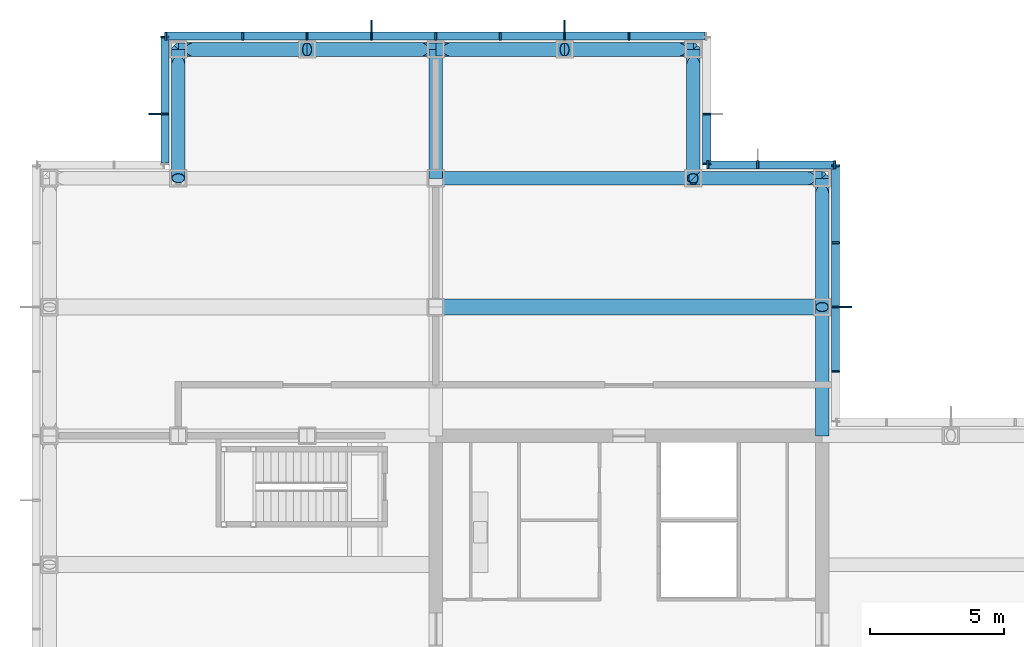
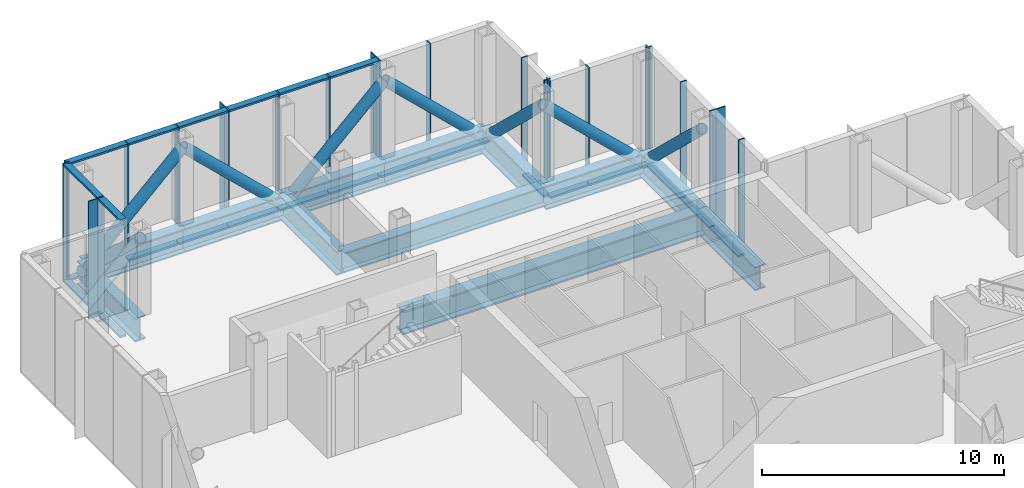
# One storey, part 10 of 17: 55 members, 12 beams, 5 elements without a shape of their own.
"""IFC4 building model written with IfcOpenShell, lengths in metres."""

from ifc_helpers import new_model, si_unit, direction, frame, origin, origin_2d, place, context, subcontext, project, spatial, rectangle, hollow_circle, i_section, extrude, material, material_profile, profile_set, type_object, element, aggregate, save


model = new_model("IFC4")

# Units and contexts
model_context = context("Model", 3, precision=1e-05, world=origin(), true_north=direction((0.0, 1.0)))
body_context = subcontext(model_context, "Body", "Model", "MODEL_VIEW")
ifc_project = project(units=[si_unit("LENGTHUNIT", "METRE"), si_unit("AREAUNIT", "SQUARE_METRE"), si_unit("VOLUMEUNIT", "CUBIC_METRE"), si_unit("PLANEANGLEUNIT", "RADIAN"), si_unit("MASSUNIT", "GRAM", prefix="KILO")], contexts=[model_context])

# Site, building, storey
site_placement = place(None, origin())
site = spatial("IfcSite", under=ifc_project, at=site_placement, CompositionType="ELEMENT")
building_placement = place(site_placement, origin())
building = spatial("IfcBuilding", under=site, at=building_placement, Name="Kvirike Care Tower", CompositionType="ELEMENT")
storey_placement = place(building_placement, frame((0.0, 0.0, 136.5)))
storey = spatial("IfcBuildingStorey", under=building, at=storey_placement, Name="L37", CompositionType="ELEMENT", Elevation=136.5)

# Members
ifc_material_1 = material(Name="Steel S355", Category="steel")
ifc_material_profile_1 = material_profile(ifc_material_1, hollow_circle(Radius=0.25390625, WallThickness=0.02490234375, at=origin_2d()), Name="CHS 508x25")
ifc_profile_set_1 = profile_set([ifc_material_profile_1], Name="Steel S355")
member_type_1 = type_object("IfcMemberType", Name="BELT TRUSS DIAGONAL CHS 508x25", PredefinedType="BRACE", material=ifc_profile_set_1)
for number, where, z_axis, x_axis, name in (
    (1, (28.800048828125, 52.800048828125, -0.85009765625), (0.0, -0.723490032929, 0.690334826191), (1.0, 0.0, 0.0), "Belt truss diagonal L9-M9 L37"),
    (2, (28.800048828125, 52.800048828125, -0.85009765625), (-0.723490032929, 0.0, 0.690334826191), (0.0, -1.0, 0.0), "Belt truss diagonal M9-M8 L37"),
    (3, (24.0, 57.60009765625, -0.85009765625), (0.0, -0.723490032929, 0.690334826191), (1.0, 0.0, 0.0), "Belt truss diagonal M8-N8 L37"),
    (4, (24.0, 57.60009765625, -0.85009765625), (-0.723490032929, 0.0, 0.690334826191), (0.0, -1.0, 0.0), "Belt truss diagonal N8-N7 L37"),
    (5, (14.39990234375, 57.60009765625, -0.85009765625), (0.723490032929, 0.0, 0.690334826191), (0.0, 1.0, 0.0), "Belt truss diagonal N7-N6 L37"),
):
    element("IfcMember", number, at=place(storey_placement, frame(where, z_axis=z_axis, x_axis=x_axis)), inside=storey, type_object=member_type_1, Name=name, PredefinedType="BRACE", context=body_context, shape_type="SweptSolid", body=[
        extrude(hollow_circle(Radius=0.25390625, WallThickness=0.02490234375, at=origin_2d()), origin(), (0.0, 0.0, 1.0), 6.634521484375),
    ])
member_1_placement = place(storey_placement, frame((14.39990234375, 57.60009765625, -0.85009765625), z_axis=(-0.723472495583, 0.0, 0.690353205348), x_axis=(0.0, -1.0, 0.0)))
element("IfcMember", 6, at=member_1_placement, inside=storey, type_object=member_type_1, Name="Belt truss diagonal N6-N5 L37", PredefinedType="BRACE", context=body_context, shape_type="SweptSolid", body=[
    extrude(hollow_circle(Radius=0.25390625, WallThickness=0.02490234375, at=origin_2d()), origin(), (0.0, 0.0, 1.0), 6.63427734375),
])
for number, where, z_axis, x_axis, name in (
    (7, (4.800048828125, 57.60009765625, -0.85009765625), (0.723490032929, 0.0, 0.690334826191), (0.0, 1.0, 0.0), "Belt truss diagonal N5-N4 L37"),
    (8, (4.800048828125, 57.60009765625, -0.85009765625), (0.0, -0.723490032929, 0.690334826191), (1.0, 0.0, 0.0), "Belt truss diagonal N4-M4 L37"),
):
    element("IfcMember", number, at=place(storey_placement, frame(where, z_axis=z_axis, x_axis=x_axis)), inside=storey, type_object=member_type_1, Name=name, PredefinedType="BRACE", context=body_context, shape_type="SweptSolid", body=[
        extrude(hollow_circle(Radius=0.25390625, WallThickness=0.02490234375, at=origin_2d()), origin(), (0.0, 0.0, 1.0), 6.634521484375),
    ])

# Curtain wall, member
ifc_material_2 = material(Name="Anodised aluminium stick system", Category="aluminium")
curtain_wall_type = type_object("IfcCurtainWallType", Name="CW-L LOUVRED PLANT SCREEN", PredefinedType="NOTDEFINED", material=ifc_material_2)
curtain_wall_1_placement = place(storey_placement, origin())
curtain_wall_1 = element("IfcCurtainWall", 9, at=curtain_wall_1_placement, inside=storey, type_object=curtain_wall_type, Name="Curtain wall L37 face 5", PredefinedType="NOTDEFINED")
ifc_material_3 = material(Name="Bronze anodised aluminium fin", Category="aluminium")
ifc_material_profile_2 = material_profile(ifc_material_3, rectangle(XDim=0.050048828125, YDim=0.449951171875, at=origin_2d()), Name="BRONZE FIN 450")
ifc_profile_set_2 = profile_set([ifc_material_profile_2], Name="Bronze anodised aluminium fin")
member_type_2 = type_object("IfcMemberType", Name="BRONZE FIN 450", PredefinedType="USERDEFINED", material=ifc_profile_set_2)
member_2_placement = place(storey_placement, frame((29.675048828125, 48.0, -1.449951171875), z_axis=(0.0, 0.0, 1.0), x_axis=(0.0, 1.0, 0.0)))
member_2 = element("IfcMember", 10, at=member_2_placement, type_object=member_type_2, Name="Bronze fin L37 face 5.3", ObjectType="FIN", PredefinedType="USERDEFINED", context=body_context, shape_type="SweptSolid", body=[
    extrude(rectangle(XDim=0.050048828125, YDim=0.449951171875, at=origin_2d()), origin(), (0.0, 0.0, 1.0), 5.949951171875),
])

# Curtain wall, members
curtain_wall_2_placement = place(storey_placement, origin())
curtain_wall_2 = element("IfcCurtainWall", 11, at=curtain_wall_2_placement, inside=storey, type_object=curtain_wall_type, Name="Curtain wall L37 face 8", PredefinedType="NOTDEFINED")
member_3_placement = place(storey_placement, frame((19.199951171875, 58.47509765625, -1.449951171875), z_axis=(0.0, 0.0, 1.0), x_axis=(-1.0, 0.0, 0.0)))
member_3 = element("IfcMember", 12, at=member_3_placement, type_object=member_type_2, Name="Bronze fin L37 face 8.3", ObjectType="FIN", PredefinedType="USERDEFINED", context=body_context, shape_type="SweptSolid", body=[
    extrude(rectangle(XDim=0.050048828125, YDim=0.449951171875, at=origin_2d()), origin(), (0.0, 0.0, 1.0), 5.949951171875),
])
member_4_placement = place(storey_placement, frame((12.0, 58.47509765625, -1.449951171875), z_axis=(0.0, 0.0, 1.0), x_axis=(-1.0, 0.0, 0.0)))
member_4 = element("IfcMember", 13, at=member_4_placement, type_object=member_type_2, Name="Bronze fin L37 face 8.6", ObjectType="FIN", PredefinedType="USERDEFINED", context=body_context, shape_type="SweptSolid", body=[
    extrude(rectangle(XDim=0.050048828125, YDim=0.449951171875, at=origin_2d()), origin(), (0.0, 0.0, 1.0), 5.949951171875),
])

# Curtain wall, member
curtain_wall_3_placement = place(storey_placement, origin())
curtain_wall_3 = element("IfcCurtainWall", 14, at=curtain_wall_3_placement, inside=storey, type_object=curtain_wall_type, Name="Curtain wall L37 face 9", PredefinedType="NOTDEFINED")
member_5_placement = place(storey_placement, frame((3.925048828125, 55.199951171875, -1.449951171875), z_axis=(0.0, 0.0, 1.0), x_axis=(0.0, -1.0, 0.0)))
member_5 = element("IfcMember", 15, at=member_5_placement, type_object=member_type_2, Name="Bronze fin L37 face 9.2", ObjectType="FIN", PredefinedType="USERDEFINED", context=body_context, shape_type="SweptSolid", body=[
    extrude(rectangle(XDim=0.050048828125, YDim=0.449951171875, at=origin_2d()), origin(), (0.0, 0.0, 1.0), 5.949951171875),
])

# Member
ifc_material_4 = material(Name="Bronze anodised aluminium mullion", Category="aluminium")
ifc_material_profile_3 = material_profile(ifc_material_4, rectangle(XDim=0.06494140625, YDim=0.300048828125, at=origin_2d()), Name="CW-L MULLION 65x300")
ifc_profile_set_3 = profile_set([ifc_material_profile_3], Name="Bronze anodised aluminium mullion")
member_type_3 = type_object("IfcMemberType", Name="CW-L MULLION 65x300", PredefinedType="MULLION", material=ifc_profile_set_3)
member_6_placement = place(storey_placement, frame((29.300048828125, 45.60009765625, -1.449951171875), z_axis=(0.0, 0.0, 1.0), x_axis=(0.0, 1.0, 0.0)))
member_6 = element("IfcMember", 16, at=member_6_placement, type_object=member_type_3, Name="CW-L mullion L37 face 5.2", PredefinedType="MULLION", context=body_context, shape_type="SweptSolid", body=[
    extrude(rectangle(XDim=0.06494140625, YDim=0.300048828125, at=origin_2d()), origin(), (0.0, 0.0, 1.0), 5.949951171875),
])

member_7_placement = place(storey_placement, frame((29.300048828125, 48.0, -1.449951171875), z_axis=(0.0, 0.0, 1.0), x_axis=(0.0, 1.0, 0.0)))
member_7 = element("IfcMember", 17, at=member_7_placement, type_object=member_type_3, Name="CW-L mullion L37 face 5.3", PredefinedType="MULLION", context=body_context, shape_type="SweptSolid", body=[
    extrude(rectangle(XDim=0.06494140625, YDim=0.300048828125, at=origin_2d()), origin(), (0.0, 0.0, 1.0), 5.949951171875),
])

member_8_placement = place(storey_placement, frame((29.300048828125, 50.39990234375, -1.449951171875), z_axis=(0.0, 0.0, 1.0), x_axis=(0.0, 1.0, 0.0)))
member_8 = element("IfcMember", 18, at=member_8_placement, type_object=member_type_3, Name="CW-L mullion L37 face 5.4", PredefinedType="MULLION", context=body_context, shape_type="SweptSolid", body=[
    extrude(rectangle(XDim=0.06494140625, YDim=0.300048828125, at=origin_2d()), origin(), (0.0, 0.0, 1.0), 5.949951171875),
])

member_9_placement = place(storey_placement, frame((29.300048828125, 53.267578125, -1.449951171875), z_axis=(0.0, 0.0, 1.0), x_axis=(0.0, 1.0, 0.0)))
member_9 = element("IfcMember", 19, at=member_9_placement, type_object=member_type_3, Name="CW-L mullion L37 face 5.5", PredefinedType="MULLION", context=body_context, shape_type="SweptSolid", body=[
    extrude(rectangle(XDim=0.06494140625, YDim=0.300048828125, at=origin_2d()), origin(), (0.0, 0.0, 1.0), 5.949951171875),
])

# Curtain wall, members
curtain_wall_4_placement = place(storey_placement, origin())
curtain_wall_4 = element("IfcCurtainWall", 20, at=curtain_wall_4_placement, inside=storey, type_object=curtain_wall_type, Name="Curtain wall L37 face 6", PredefinedType="NOTDEFINED")
member_10_placement = place(storey_placement, frame((29.267578125, 53.300048828125, -1.449951171875), z_axis=(0.0, 0.0, 1.0), x_axis=(-1.0, 0.0, 0.0)))
member_10 = element("IfcMember", 21, at=member_10_placement, type_object=member_type_3, Name="CW-L mullion L37 face 6.1", PredefinedType="MULLION", context=body_context, shape_type="SweptSolid", body=[
    extrude(rectangle(XDim=0.06494140625, YDim=0.300048828125, at=origin_2d()), origin(), (0.0, 0.0, 1.0), 5.949951171875),
])
member_11_placement = place(storey_placement, frame((26.39990234375, 53.300048828125, -1.449951171875), z_axis=(0.0, 0.0, 1.0), x_axis=(-1.0, 0.0, 0.0)))
member_11 = element("IfcMember", 22, at=member_11_placement, type_object=member_type_3, Name="CW-L mullion L37 face 6.2", PredefinedType="MULLION", context=body_context, shape_type="SweptSolid", body=[
    extrude(rectangle(XDim=0.06494140625, YDim=0.300048828125, at=origin_2d()), origin(), (0.0, 0.0, 1.0), 5.949951171875),
])
member_12_placement = place(storey_placement, frame((24.532470703125, 53.300048828125, -1.449951171875), z_axis=(0.0, 0.0, 1.0), x_axis=(-1.0, 0.0, 0.0)))
member_12 = element("IfcMember", 23, at=member_12_placement, type_object=member_type_3, Name="CW-L mullion L37 face 6.3", PredefinedType="MULLION", context=body_context, shape_type="SweptSolid", body=[
    extrude(rectangle(XDim=0.06494140625, YDim=0.300048828125, at=origin_2d()), origin(), (0.0, 0.0, 1.0), 5.949951171875),
])

curtain_wall_5_placement = place(storey_placement, origin())
curtain_wall_5 = element("IfcCurtainWall", 24, at=curtain_wall_5_placement, inside=storey, type_object=curtain_wall_type, Name="Curtain wall L37 face 7", PredefinedType="NOTDEFINED")
member_13_placement = place(storey_placement, frame((24.5, 53.33251953125, -1.449951171875), z_axis=(0.0, 0.0, 1.0), x_axis=(0.0, 1.0, 0.0)))
member_13 = element("IfcMember", 25, at=member_13_placement, type_object=member_type_3, Name="CW-L mullion L37 face 7.1", PredefinedType="MULLION", context=body_context, shape_type="SweptSolid", body=[
    extrude(rectangle(XDim=0.06494140625, YDim=0.300048828125, at=origin_2d()), origin(), (0.0, 0.0, 1.0), 5.949951171875),
])
member_14_placement = place(storey_placement, frame((24.5, 55.199951171875, -1.449951171875), z_axis=(0.0, 0.0, 1.0), x_axis=(0.0, 1.0, 0.0)))
member_14 = element("IfcMember", 26, at=member_14_placement, type_object=member_type_3, Name="CW-L mullion L37 face 7.2", PredefinedType="MULLION", context=body_context, shape_type="SweptSolid", body=[
    extrude(rectangle(XDim=0.06494140625, YDim=0.300048828125, at=origin_2d()), origin(), (0.0, 0.0, 1.0), 5.949951171875),
])

# Member
member_15_placement = place(storey_placement, frame((21.60009765625, 58.10009765625, -1.449951171875), z_axis=(0.0, 0.0, 1.0), x_axis=(-1.0, 0.0, 0.0)))
member_15 = element("IfcMember", 27, at=member_15_placement, type_object=member_type_3, Name="CW-L mullion L37 face 8.2", PredefinedType="MULLION", context=body_context, shape_type="SweptSolid", body=[
    extrude(rectangle(XDim=0.06494140625, YDim=0.300048828125, at=origin_2d()), origin(), (0.0, 0.0, 1.0), 5.949951171875),
])

member_16_placement = place(storey_placement, frame((19.199951171875, 58.10009765625, -1.449951171875), z_axis=(0.0, 0.0, 1.0), x_axis=(-1.0, 0.0, 0.0)))
member_16 = element("IfcMember", 28, at=member_16_placement, type_object=member_type_3, Name="CW-L mullion L37 face 8.3", PredefinedType="MULLION", context=body_context, shape_type="SweptSolid", body=[
    extrude(rectangle(XDim=0.06494140625, YDim=0.300048828125, at=origin_2d()), origin(), (0.0, 0.0, 1.0), 5.949951171875),
])

member_17_placement = place(storey_placement, frame((16.800048828125, 58.10009765625, -1.449951171875), z_axis=(0.0, 0.0, 1.0), x_axis=(-1.0, 0.0, 0.0)))
member_17 = element("IfcMember", 29, at=member_17_placement, type_object=member_type_3, Name="CW-L mullion L37 face 8.4", PredefinedType="MULLION", context=body_context, shape_type="SweptSolid", body=[
    extrude(rectangle(XDim=0.06494140625, YDim=0.300048828125, at=origin_2d()), origin(), (0.0, 0.0, 1.0), 5.949951171875),
])

member_18_placement = place(storey_placement, frame((14.39990234375, 58.10009765625, -1.449951171875), z_axis=(0.0, 0.0, 1.0), x_axis=(-1.0, 0.0, 0.0)))
member_18 = element("IfcMember", 30, at=member_18_placement, type_object=member_type_3, Name="CW-L mullion L37 face 8.5", PredefinedType="MULLION", context=body_context, shape_type="SweptSolid", body=[
    extrude(rectangle(XDim=0.06494140625, YDim=0.300048828125, at=origin_2d()), origin(), (0.0, 0.0, 1.0), 5.949951171875),
])

member_19_placement = place(storey_placement, frame((12.0, 58.10009765625, -1.449951171875), z_axis=(0.0, 0.0, 1.0), x_axis=(-1.0, 0.0, 0.0)))
member_19 = element("IfcMember", 31, at=member_19_placement, type_object=member_type_3, Name="CW-L mullion L37 face 8.6", PredefinedType="MULLION", context=body_context, shape_type="SweptSolid", body=[
    extrude(rectangle(XDim=0.06494140625, YDim=0.300048828125, at=origin_2d()), origin(), (0.0, 0.0, 1.0), 5.949951171875),
])

member_20_placement = place(storey_placement, frame((9.60009765625, 58.10009765625, -1.449951171875), z_axis=(0.0, 0.0, 1.0), x_axis=(-1.0, 0.0, 0.0)))
member_20 = element("IfcMember", 32, at=member_20_placement, type_object=member_type_3, Name="CW-L mullion L37 face 8.7", PredefinedType="MULLION", context=body_context, shape_type="SweptSolid", body=[
    extrude(rectangle(XDim=0.06494140625, YDim=0.300048828125, at=origin_2d()), origin(), (0.0, 0.0, 1.0), 5.949951171875),
])

member_21_placement = place(storey_placement, frame((7.199951171875, 58.10009765625, -1.449951171875), z_axis=(0.0, 0.0, 1.0), x_axis=(-1.0, 0.0, 0.0)))
member_21 = element("IfcMember", 33, at=member_21_placement, type_object=member_type_3, Name="CW-L mullion L37 face 8.8", PredefinedType="MULLION", context=body_context, shape_type="SweptSolid", body=[
    extrude(rectangle(XDim=0.06494140625, YDim=0.300048828125, at=origin_2d()), origin(), (0.0, 0.0, 1.0), 5.949951171875),
])

member_22_placement = place(storey_placement, frame((4.33251953125, 58.10009765625, -1.449951171875), z_axis=(0.0, 0.0, 1.0), x_axis=(-1.0, 0.0, 0.0)))
member_22 = element("IfcMember", 34, at=member_22_placement, type_object=member_type_3, Name="CW-L mullion L37 face 8.9", PredefinedType="MULLION", context=body_context, shape_type="SweptSolid", body=[
    extrude(rectangle(XDim=0.06494140625, YDim=0.300048828125, at=origin_2d()), origin(), (0.0, 0.0, 1.0), 5.949951171875),
])

member_23_placement = place(storey_placement, frame((4.300048828125, 58.0673828125, -1.449951171875), z_axis=(0.0, 0.0, 1.0), x_axis=(0.0, -1.0, 0.0)))
member_23 = element("IfcMember", 35, at=member_23_placement, type_object=member_type_3, Name="CW-L mullion L37 face 9.1", PredefinedType="MULLION", context=body_context, shape_type="SweptSolid", body=[
    extrude(rectangle(XDim=0.06494140625, YDim=0.300048828125, at=origin_2d()), origin(), (0.0, 0.0, 1.0), 5.949951171875),
])

member_24_placement = place(storey_placement, frame((4.300048828125, 55.199951171875, -1.449951171875), z_axis=(0.0, 0.0, 1.0), x_axis=(0.0, -1.0, 0.0)))
member_24 = element("IfcMember", 36, at=member_24_placement, type_object=member_type_3, Name="CW-L mullion L37 face 9.2", PredefinedType="MULLION", context=body_context, shape_type="SweptSolid", body=[
    extrude(rectangle(XDim=0.06494140625, YDim=0.300048828125, at=origin_2d()), origin(), (0.0, 0.0, 1.0), 5.949951171875),
])

ifc_material_5 = material(Name="Bronze anodised aluminium transom", Category="aluminium")
ifc_material_profile_4 = material_profile(ifc_material_5, rectangle(XDim=0.300048828125, YDim=0.10009765625, at=origin_2d()), Name="CW-L TRANSOM 300x100")
ifc_profile_set_4 = profile_set([ifc_material_profile_4], Name="Bronze anodised aluminium transom")
member_type_4 = type_object("IfcMemberType", Name="CW-L TRANSOM 300x100", PredefinedType="USERDEFINED", material=ifc_profile_set_4)
member_25_placement = place(storey_placement, frame((29.300048828125, 45.632568359375, -1.39990234375), z_axis=(0.0, 1.0, 0.0), x_axis=(-1.0, 0.0, 0.0)))
member_25 = element("IfcMember", 37, at=member_25_placement, type_object=member_type_4, Name="CW-L sill transom L37 face 5.2", ObjectType="TRANSOM", PredefinedType="USERDEFINED", context=body_context, shape_type="SweptSolid", body=[
    extrude(rectangle(XDim=0.300048828125, YDim=0.10009765625, at=origin_2d()), origin(), (0.0, 0.0, 1.0), 2.3349609375),
])

member_26_placement = place(storey_placement, frame((29.300048828125, 48.032470703125, -1.39990234375), z_axis=(0.0, 1.0, 0.0), x_axis=(-1.0, 0.0, 0.0)))
member_26 = element("IfcMember", 38, at=member_26_placement, type_object=member_type_4, Name="CW-L sill transom L37 face 5.3", ObjectType="TRANSOM", PredefinedType="USERDEFINED", context=body_context, shape_type="SweptSolid", body=[
    extrude(rectangle(XDim=0.300048828125, YDim=0.10009765625, at=origin_2d()), origin(), (0.0, 0.0, 1.0), 2.3349609375),
])

member_27_placement = place(storey_placement, frame((29.300048828125, 50.4326171875, -1.39990234375), z_axis=(0.0, 1.0, 0.0), x_axis=(-1.0, 0.0, 0.0)))
member_27 = element("IfcMember", 39, at=member_27_placement, type_object=member_type_4, Name="CW-L sill transom L37 face 5.4", ObjectType="TRANSOM", PredefinedType="USERDEFINED", context=body_context, shape_type="SweptSolid", body=[
    extrude(rectangle(XDim=0.300048828125, YDim=0.10009765625, at=origin_2d()), origin(), (0.0, 0.0, 1.0), 2.802490234375),
])

aggregate(curtain_wall_1, [member_6, member_7, member_2, member_8, member_9, member_25, member_26, member_27])

member_28_placement = place(storey_placement, frame((29.235107421875, 53.300048828125, -1.39990234375), z_axis=(-1.0, 0.0, 0.0), x_axis=(0.0, -1.0, 0.0)))
member_28 = element("IfcMember", 40, at=member_28_placement, type_object=member_type_4, Name="CW-L sill transom L37 face 6.1", ObjectType="TRANSOM", PredefinedType="USERDEFINED", context=body_context, shape_type="SweptSolid", body=[
    extrude(rectangle(XDim=0.300048828125, YDim=0.10009765625, at=origin_2d()), origin(), (0.0, 0.0, 1.0), 2.802490234375),
])

member_29_placement = place(storey_placement, frame((26.367431640625, 53.300048828125, -1.39990234375), z_axis=(-1.0, 0.0, 0.0), x_axis=(0.0, -1.0, 0.0)))
member_29 = element("IfcMember", 41, at=member_29_placement, type_object=member_type_4, Name="CW-L sill transom L37 face 6.2", ObjectType="TRANSOM", PredefinedType="USERDEFINED", context=body_context, shape_type="SweptSolid", body=[
    extrude(rectangle(XDim=0.300048828125, YDim=0.10009765625, at=origin_2d()), origin(), (0.0, 0.0, 1.0), 1.802490234375),
])

aggregate(curtain_wall_4, [member_10, member_11, member_12, member_28, member_29])

member_30_placement = place(storey_placement, frame((24.5, 53.364990234375, -1.39990234375), z_axis=(0.0, 1.0, 0.0), x_axis=(-1.0, 0.0, 0.0)))
member_30 = element("IfcMember", 42, at=member_30_placement, type_object=member_type_4, Name="CW-L sill transom L37 face 7.1", ObjectType="TRANSOM", PredefinedType="USERDEFINED", context=body_context, shape_type="SweptSolid", body=[
    extrude(rectangle(XDim=0.300048828125, YDim=0.10009765625, at=origin_2d()), origin(), (0.0, 0.0, 1.0), 1.802490234375),
])

aggregate(curtain_wall_5, [member_13, member_14, member_30])

member_31_placement = place(storey_placement, frame((24.43505859375, 58.10009765625, -1.39990234375), z_axis=(-1.0, 0.0, 0.0), x_axis=(0.0, -1.0, 0.0)))
member_31 = element("IfcMember", 43, at=member_31_placement, type_object=member_type_4, Name="CW-L sill transom L37 face 8.1", ObjectType="TRANSOM", PredefinedType="USERDEFINED", context=body_context, shape_type="SweptSolid", body=[
    extrude(rectangle(XDim=0.300048828125, YDim=0.10009765625, at=origin_2d()), origin(), (0.0, 0.0, 1.0), 2.802490234375),
])

member_32_placement = place(storey_placement, frame((21.5673828125, 58.10009765625, -1.39990234375), z_axis=(-1.0, 0.0, 0.0), x_axis=(0.0, -1.0, 0.0)))
member_32 = element("IfcMember", 44, at=member_32_placement, type_object=member_type_4, Name="CW-L sill transom L37 face 8.2", ObjectType="TRANSOM", PredefinedType="USERDEFINED", context=body_context, shape_type="SweptSolid", body=[
    extrude(rectangle(XDim=0.300048828125, YDim=0.10009765625, at=origin_2d()), origin(), (0.0, 0.0, 1.0), 2.3349609375),
])

member_33_placement = place(storey_placement, frame((19.16748046875, 58.10009765625, -1.39990234375), z_axis=(-1.0, 0.0, 0.0), x_axis=(0.0, -1.0, 0.0)))
member_33 = element("IfcMember", 45, at=member_33_placement, type_object=member_type_4, Name="CW-L sill transom L37 face 8.3", ObjectType="TRANSOM", PredefinedType="USERDEFINED", context=body_context, shape_type="SweptSolid", body=[
    extrude(rectangle(XDim=0.300048828125, YDim=0.10009765625, at=origin_2d()), origin(), (0.0, 0.0, 1.0), 2.3349609375),
])

member_34_placement = place(storey_placement, frame((19.16748046875, 58.10009765625, 4.449951171875), z_axis=(-1.0, 0.0, 0.0), x_axis=(0.0, -1.0, 0.0)))
member_34 = element("IfcMember", 46, at=member_34_placement, type_object=member_type_4, Name="CW-L head transom L37 face 8.3", ObjectType="TRANSOM", PredefinedType="USERDEFINED", context=body_context, shape_type="SweptSolid", body=[
    extrude(rectangle(XDim=0.300048828125, YDim=0.10009765625, at=origin_2d()), origin(), (0.0, 0.0, 1.0), 2.3349609375),
])

member_35_placement = place(storey_placement, frame((16.767578125, 58.10009765625, -1.39990234375), z_axis=(-1.0, 0.0, 0.0), x_axis=(0.0, -1.0, 0.0)))
member_35 = element("IfcMember", 47, at=member_35_placement, type_object=member_type_4, Name="CW-L sill transom L37 face 8.4", ObjectType="TRANSOM", PredefinedType="USERDEFINED", context=body_context, shape_type="SweptSolid", body=[
    extrude(rectangle(XDim=0.300048828125, YDim=0.10009765625, at=origin_2d()), origin(), (0.0, 0.0, 1.0), 2.3349609375),
])

member_36_placement = place(storey_placement, frame((16.767578125, 58.10009765625, 4.449951171875), z_axis=(-1.0, 0.0, 0.0), x_axis=(0.0, -1.0, 0.0)))
member_36 = element("IfcMember", 48, at=member_36_placement, type_object=member_type_4, Name="CW-L head transom L37 face 8.4", ObjectType="TRANSOM", PredefinedType="USERDEFINED", context=body_context, shape_type="SweptSolid", body=[
    extrude(rectangle(XDim=0.300048828125, YDim=0.10009765625, at=origin_2d()), origin(), (0.0, 0.0, 1.0), 2.3349609375),
])

member_37_placement = place(storey_placement, frame((14.367431640625, 58.10009765625, -1.39990234375), z_axis=(-1.0, 0.0, 0.0), x_axis=(0.0, -1.0, 0.0)))
member_37 = element("IfcMember", 49, at=member_37_placement, type_object=member_type_4, Name="CW-L sill transom L37 face 8.5", ObjectType="TRANSOM", PredefinedType="USERDEFINED", context=body_context, shape_type="SweptSolid", body=[
    extrude(rectangle(XDim=0.300048828125, YDim=0.10009765625, at=origin_2d()), origin(), (0.0, 0.0, 1.0), 2.3349609375),
])

member_38_placement = place(storey_placement, frame((14.367431640625, 58.10009765625, 4.449951171875), z_axis=(-1.0, 0.0, 0.0), x_axis=(0.0, -1.0, 0.0)))
member_38 = element("IfcMember", 50, at=member_38_placement, type_object=member_type_4, Name="CW-L head transom L37 face 8.5", ObjectType="TRANSOM", PredefinedType="USERDEFINED", context=body_context, shape_type="SweptSolid", body=[
    extrude(rectangle(XDim=0.300048828125, YDim=0.10009765625, at=origin_2d()), origin(), (0.0, 0.0, 1.0), 2.3349609375),
])

member_39_placement = place(storey_placement, frame((11.967529296875, 58.10009765625, -1.39990234375), z_axis=(-1.0, 0.0, 0.0), x_axis=(0.0, -1.0, 0.0)))
member_39 = element("IfcMember", 51, at=member_39_placement, type_object=member_type_4, Name="CW-L sill transom L37 face 8.6", ObjectType="TRANSOM", PredefinedType="USERDEFINED", context=body_context, shape_type="SweptSolid", body=[
    extrude(rectangle(XDim=0.300048828125, YDim=0.10009765625, at=origin_2d()), origin(), (0.0, 0.0, 1.0), 2.3349609375),
])

member_40_placement = place(storey_placement, frame((11.967529296875, 58.10009765625, 4.449951171875), z_axis=(-1.0, 0.0, 0.0), x_axis=(0.0, -1.0, 0.0)))
member_40 = element("IfcMember", 52, at=member_40_placement, type_object=member_type_4, Name="CW-L head transom L37 face 8.6", ObjectType="TRANSOM", PredefinedType="USERDEFINED", context=body_context, shape_type="SweptSolid", body=[
    extrude(rectangle(XDim=0.300048828125, YDim=0.10009765625, at=origin_2d()), origin(), (0.0, 0.0, 1.0), 2.3349609375),
])

member_41_placement = place(storey_placement, frame((9.5673828125, 58.10009765625, -1.39990234375), z_axis=(-1.0, 0.0, 0.0), x_axis=(0.0, -1.0, 0.0)))
member_41 = element("IfcMember", 53, at=member_41_placement, type_object=member_type_4, Name="CW-L sill transom L37 face 8.7", ObjectType="TRANSOM", PredefinedType="USERDEFINED", context=body_context, shape_type="SweptSolid", body=[
    extrude(rectangle(XDim=0.300048828125, YDim=0.10009765625, at=origin_2d()), origin(), (0.0, 0.0, 1.0), 2.3349609375),
])

member_42_placement = place(storey_placement, frame((9.5673828125, 58.10009765625, 4.449951171875), z_axis=(-1.0, 0.0, 0.0), x_axis=(0.0, -1.0, 0.0)))
member_42 = element("IfcMember", 54, at=member_42_placement, type_object=member_type_4, Name="CW-L head transom L37 face 8.7", ObjectType="TRANSOM", PredefinedType="USERDEFINED", context=body_context, shape_type="SweptSolid", body=[
    extrude(rectangle(XDim=0.300048828125, YDim=0.10009765625, at=origin_2d()), origin(), (0.0, 0.0, 1.0), 2.3349609375),
])

member_43_placement = place(storey_placement, frame((7.16748046875, 58.10009765625, -1.39990234375), z_axis=(-1.0, 0.0, 0.0), x_axis=(0.0, -1.0, 0.0)))
member_43 = element("IfcMember", 55, at=member_43_placement, type_object=member_type_4, Name="CW-L sill transom L37 face 8.8", ObjectType="TRANSOM", PredefinedType="USERDEFINED", context=body_context, shape_type="SweptSolid", body=[
    extrude(rectangle(XDim=0.300048828125, YDim=0.10009765625, at=origin_2d()), origin(), (0.0, 0.0, 1.0), 2.802490234375),
])

member_44_placement = place(storey_placement, frame((7.16748046875, 58.10009765625, 4.449951171875), z_axis=(-1.0, 0.0, 0.0), x_axis=(0.0, -1.0, 0.0)))
member_44 = element("IfcMember", 56, at=member_44_placement, type_object=member_type_4, Name="CW-L head transom L37 face 8.8", ObjectType="TRANSOM", PredefinedType="USERDEFINED", context=body_context, shape_type="SweptSolid", body=[
    extrude(rectangle(XDim=0.300048828125, YDim=0.10009765625, at=origin_2d()), origin(), (0.0, 0.0, 1.0), 2.802490234375),
])

aggregate(curtain_wall_2, [member_15, member_16, member_3, member_17, member_18, member_19, member_4, member_20, member_21, member_22, member_31, member_32, member_33, member_34, member_35, member_36, member_37, member_38, member_39, member_40, member_41, member_42, member_43, member_44])

member_45_placement = place(storey_placement, frame((4.300048828125, 58.034912109375, -1.39990234375), z_axis=(0.0, -1.0, 0.0), x_axis=(1.0, 0.0, 0.0)))
member_45 = element("IfcMember", 57, at=member_45_placement, type_object=member_type_4, Name="CW-L sill transom L37 face 9.1", ObjectType="TRANSOM", PredefinedType="USERDEFINED", context=body_context, shape_type="SweptSolid", body=[
    extrude(rectangle(XDim=0.300048828125, YDim=0.10009765625, at=origin_2d()), origin(), (0.0, 0.0, 1.0), 2.802490234375),
])

member_46_placement = place(storey_placement, frame((4.300048828125, 58.034912109375, 4.449951171875), z_axis=(0.0, -1.0, 0.0), x_axis=(1.0, 0.0, 0.0)))
member_46 = element("IfcMember", 58, at=member_46_placement, type_object=member_type_4, Name="CW-L head transom L37 face 9.1", ObjectType="TRANSOM", PredefinedType="USERDEFINED", context=body_context, shape_type="SweptSolid", body=[
    extrude(rectangle(XDim=0.300048828125, YDim=0.10009765625, at=origin_2d()), origin(), (0.0, 0.0, 1.0), 2.802490234375),
])

member_47_placement = place(storey_placement, frame((4.300048828125, 55.16748046875, -1.39990234375), z_axis=(0.0, -1.0, 0.0), x_axis=(1.0, 0.0, 0.0)))
member_47 = element("IfcMember", 59, at=member_47_placement, type_object=member_type_4, Name="CW-L sill transom L37 face 9.2", ObjectType="TRANSOM", PredefinedType="USERDEFINED", context=body_context, shape_type="SweptSolid", body=[
    extrude(rectangle(XDim=0.300048828125, YDim=0.10009765625, at=origin_2d()), origin(), (0.0, 0.0, 1.0), 1.802490234375),
])

member_48_placement = place(storey_placement, frame((4.300048828125, 55.16748046875, 4.449951171875), z_axis=(0.0, -1.0, 0.0), x_axis=(1.0, 0.0, 0.0)))
member_48 = element("IfcMember", 60, at=member_48_placement, type_object=member_type_4, Name="CW-L head transom L37 face 9.2", ObjectType="TRANSOM", PredefinedType="USERDEFINED", context=body_context, shape_type="SweptSolid", body=[
    extrude(rectangle(XDim=0.300048828125, YDim=0.10009765625, at=origin_2d()), origin(), (0.0, 0.0, 1.0), 1.802490234375),
])

aggregate(curtain_wall_3, [member_23, member_24, member_5, member_45, member_46, member_47, member_48])

# Beams
ifc_material_6 = material(Name="Steel S355", Category="steel")
ifc_material_profile_5 = material_profile(ifc_material_6, i_section(OverallWidth=0.5, OverallDepth=1.199951171875, WebThickness=0.030029296875, FlangeThickness=0.06005859375, at=origin_2d()), Name="PG 1200x500x30x60")
ifc_profile_set_5 = profile_set([ifc_material_profile_5], Name="Steel S355")
beam_type_1 = type_object("IfcBeamType", Name="FRAME BEAM PG 1200x500x30x60", PredefinedType="BEAM", material=ifc_profile_set_5)
beam_1_placement = place(storey_placement, frame((14.39990234375, 52.800048828125, -0.85009765625), z_axis=(0.0, 1.0, 0.0), x_axis=(-1.0, 0.0, 0.0)))
element("IfcBeam", 61, at=beam_1_placement, inside=storey, type_object=beam_type_1, Name="Frame Beam M6-N6 L37", PredefinedType="BEAM", context=body_context, shape_type="SweptSolid", body=[
    extrude(i_section(OverallWidth=0.5, OverallDepth=1.199951171875, WebThickness=0.030029296875, FlangeThickness=0.06005859375, at=origin_2d()), origin(), (0.0, 0.0, 1.0), 4.800048828125),
])
ifc_material_7 = material(Name="Steel S355", Category="steel")
ifc_material_profile_6 = material_profile(ifc_material_7, i_section(OverallWidth=0.5, OverallDepth=1.0, WebThickness=0.030029296875, FlangeThickness=0.06005859375, at=origin_2d()), Name="PG 1000x500x30x60")
ifc_profile_set_6 = profile_set([ifc_material_profile_6], Name="Steel S355")
beam_type_2 = type_object("IfcBeamType", Name="PLANT FLOOR GIRDER PG 1000x500x30x60", PredefinedType="BEAM", material=ifc_profile_set_6)
beam_2_placement = place(storey_placement, frame((14.39990234375, 52.800048828125, -0.75), z_axis=(1.0, 0.0, 0.0), x_axis=(0.0, 1.0, 0.0)))
element("IfcBeam", 62, at=beam_2_placement, inside=storey, type_object=beam_type_2, Name="Plant Floor Girder M6-M8 L37", PredefinedType="BEAM", context=body_context, shape_type="SweptSolid", body=[
    extrude(i_section(OverallWidth=0.5, OverallDepth=1.0, WebThickness=0.030029296875, FlangeThickness=0.06005859375, at=origin_2d()), origin(), (0.0, 0.0, 1.0), 9.60009765625),
])
ifc_material_8 = material(Name="Steel S355", Category="steel")
ifc_material_profile_7 = material_profile(ifc_material_8, i_section(OverallWidth=0.60009765625, OverallDepth=1.199951171875, WebThickness=0.0400390625, FlangeThickness=0.080078125, at=origin_2d()), Name="PG 1200x600x40x80")
ifc_profile_set_7 = profile_set([ifc_material_profile_7], Name="Steel S355")
beam_type_3 = type_object("IfcBeamType", Name="PLANT FLOOR GIRDER PG 1200x600x40x80", PredefinedType="BEAM", material=ifc_profile_set_7)
beam_3_placement = place(storey_placement, frame((14.39990234375, 48.0, -0.85009765625), z_axis=(1.0, 0.0, 0.0), x_axis=(0.0, 1.0, 0.0)))
element("IfcBeam", 63, at=beam_3_placement, inside=storey, type_object=beam_type_3, Name="Plant Floor Girder L6-L9 L37", PredefinedType="BEAM", context=body_context, shape_type="SweptSolid", body=[
    extrude(i_section(OverallWidth=0.60009765625, OverallDepth=1.199951171875, WebThickness=0.0400390625, FlangeThickness=0.080078125, at=origin_2d()), origin(), (0.0, 0.0, 1.0), 14.400146484375),
])
ifc_material_9 = material(Name="Steel S355", Category="steel")
ifc_material_profile_8 = material_profile(ifc_material_9, i_section(OverallWidth=0.5, OverallDepth=1.199951171875, WebThickness=0.030029296875, FlangeThickness=0.06005859375, at=origin_2d()), Name="PG 1200x500x30x60")
ifc_profile_set_8 = profile_set([ifc_material_profile_8], Name="Steel S355")
beam_type_4 = type_object("IfcBeamType", Name="SPANDREL PG 1200x500x30x60", PredefinedType="SPANDREL", material=ifc_profile_set_8)
for number, where, z_axis, x_axis, name in (
    (64, (24.0, 52.800048828125, -0.85009765625), (1.0, 0.0, 0.0), (0.0, 1.0, 0.0), "Spandrel M8-M9 L37"),
    (65, (4.800048828125, 57.60009765625, -0.85009765625), (1.0, 0.0, 0.0), (0.0, 1.0, 0.0), "Spandrel N4-N5 L37"),
):
    element("IfcBeam", number, at=place(storey_placement, frame(where, z_axis=z_axis, x_axis=x_axis)), inside=storey, type_object=beam_type_4, Name=name, PredefinedType="SPANDREL", context=body_context, shape_type="SweptSolid", body=[
        extrude(i_section(OverallWidth=0.5, OverallDepth=1.199951171875, WebThickness=0.030029296875, FlangeThickness=0.06005859375, at=origin_2d()), origin(), (0.0, 0.0, 1.0), 4.800048828125),
    ])
beam_4_placement = place(storey_placement, frame((9.60009765625, 57.60009765625, -0.85009765625), z_axis=(1.0, 0.0, 0.0), x_axis=(0.0, 1.0, 0.0)))
element("IfcBeam", 66, at=beam_4_placement, inside=storey, type_object=beam_type_4, Name="Spandrel N5-N6 L37", PredefinedType="SPANDREL", context=body_context, shape_type="SweptSolid", body=[
    extrude(i_section(OverallWidth=0.5, OverallDepth=1.199951171875, WebThickness=0.030029296875, FlangeThickness=0.06005859375, at=origin_2d()), origin(), (0.0, 0.0, 1.0), 4.7998046875),
])
for number, where, z_axis, x_axis, name in (
    (67, (14.39990234375, 57.60009765625, -0.85009765625), (1.0, 0.0, 0.0), (0.0, 1.0, 0.0), "Spandrel N6-N7 L37"),
    (68, (19.199951171875, 57.60009765625, -0.85009765625), (1.0, 0.0, 0.0), (0.0, 1.0, 0.0), "Spandrel N7-N8 L37"),
    (69, (4.800048828125, 52.800048828125, -0.85009765625), (0.0, 1.0, 0.0), (-1.0, 0.0, 0.0), "Spandrel M4-N4 L37"),
    (70, (24.0, 52.800048828125, -0.85009765625), (0.0, 1.0, 0.0), (-1.0, 0.0, 0.0), "Spandrel M8-N8 L37"),
    (71, (28.800048828125, 43.199951171875, -0.85009765625), (0.0, 1.0, 0.0), (-1.0, 0.0, 0.0), "Spandrel K9-L9 L37"),
    (72, (28.800048828125, 48.0, -0.85009765625), (0.0, 1.0, 0.0), (-1.0, 0.0, 0.0), "Spandrel L9-M9 L37"),
):
    element("IfcBeam", number, at=place(storey_placement, frame(where, z_axis=z_axis, x_axis=x_axis)), inside=storey, type_object=beam_type_4, Name=name, PredefinedType="SPANDREL", context=body_context, shape_type="SweptSolid", body=[
        extrude(i_section(OverallWidth=0.5, OverallDepth=1.199951171875, WebThickness=0.030029296875, FlangeThickness=0.06005859375, at=origin_2d()), origin(), (0.0, 0.0, 1.0), 4.800048828125),
    ])

save(model, "model.ifc")
